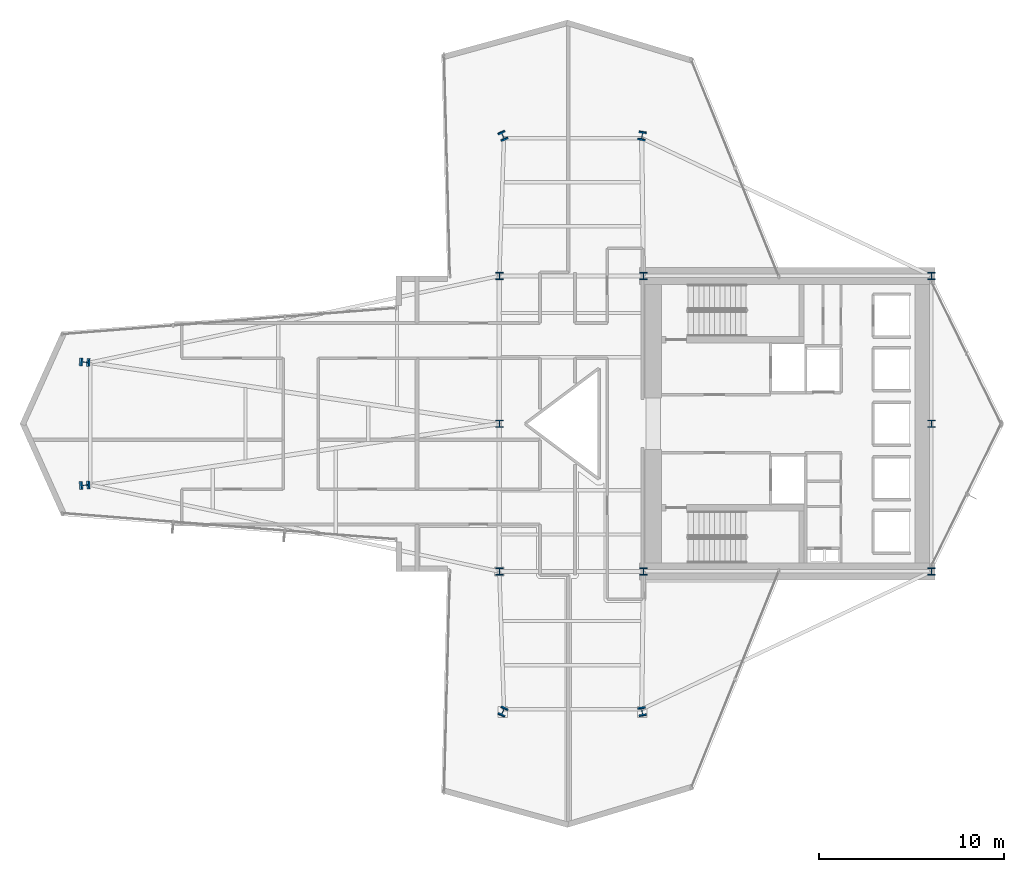
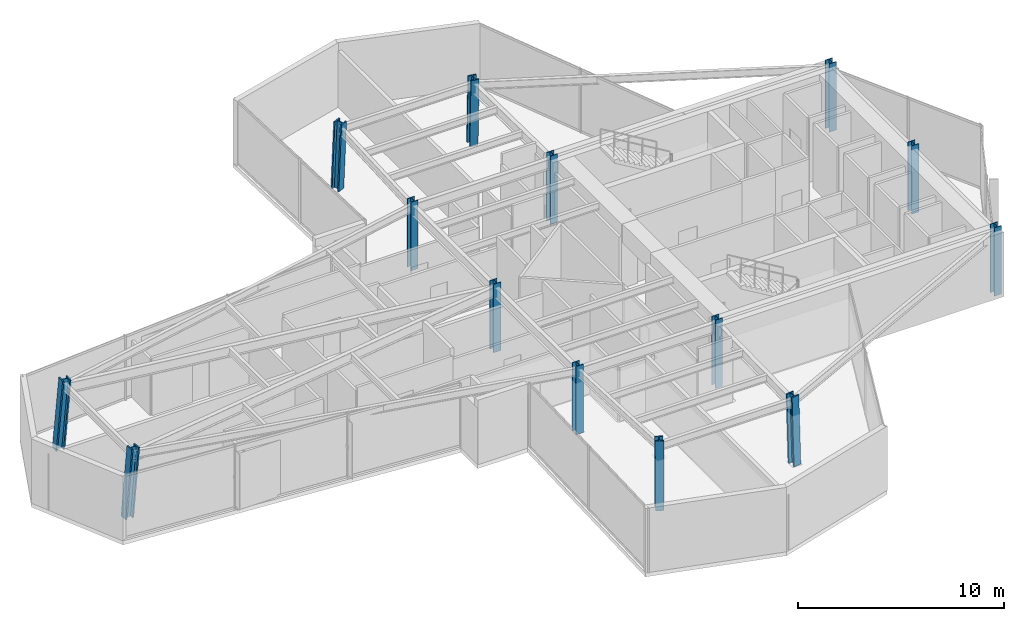
# One storey, part 1 of 31: 14 columns.
"""IFC4 building model written with IfcOpenShell, lengths in metres."""

from ifc_helpers import new_model, si_unit, direction, frame, origin, origin_2d, place, context, subcontext, project, spatial, i_section, extrude, material, material_profile, profile_set, type_object, element, save


model = new_model("IFC4")

# Units and contexts
model_context = context("Model", 3, precision=1e-05, world=origin(), true_north=direction((0.0, 1.0)))
body_context = subcontext(model_context, "Body", "Model", "MODEL_VIEW")
ifc_project = project(units=[si_unit("LENGTHUNIT", "METRE"), si_unit("AREAUNIT", "SQUARE_METRE"), si_unit("VOLUMEUNIT", "CUBIC_METRE"), si_unit("PLANEANGLEUNIT", "RADIAN"), si_unit("MASSUNIT", "GRAM", prefix="KILO")], contexts=[model_context])

# Site, building, storey
site_placement = place(None, origin())
site = spatial("IfcSite", under=ifc_project, at=site_placement, CompositionType="ELEMENT")
building_placement = place(site_placement, origin())
building = spatial("IfcBuilding", under=site, at=building_placement, Name="Veymaron Broadcast Tower", CompositionType="ELEMENT")
storey_placement = place(building_placement, frame((0.0, 0.0, 70.199951171875)))
storey = spatial("IfcBuildingStorey", under=building, at=storey_placement, Name="L15", CompositionType="ELEMENT", Elevation=70.199951171875)

# Columns
ifc_material = material(Name="Structural steel ASTM A913 Gr 65", Category="steel")
ifc_material_profile_1 = material_profile(ifc_material, i_section(OverallWidth=0.40087890625, OverallDepth=0.39892578125, WebThickness=0.02490234375, FlangeThickness=0.03955078125, at=origin_2d()), Name="W360X314")
ifc_profile_set_1 = profile_set([ifc_material_profile_1], Name="Structural steel ASTM A913 Gr 65")
column_type_1 = type_object("IfcColumnType", Name="COL-HC1", PredefinedType="COLUMN", material=ifc_profile_set_1)
for number, where, z_axis, x_axis, name in (
    (1, (31.199951171875, 16.0, 0.0), (0.0, 0.0, 1.0), (1.0, 0.0, 0.0), "L15 structural hub and core column"),
    (2, (31.199951171875, 24.0, 0.0), (0.0, 0.0, 1.0), (1.0, 0.0, 0.0), "L15 structural hub and core column"),
    (3, (31.199951171875, 32.0, 0.0), (0.0, 0.0, 1.0), (1.0, 0.0, 0.0), "L15 structural hub and core column"),
    (4, (39.0, 16.0, 0.0), (0.0, 0.0, 1.0), (1.0, 0.0, 0.0), "L15 structural hub and core column"),
    (5, (39.0, 32.0, 0.0), (0.0, 0.0, 1.0), (1.0, 0.0, 0.0), "L15 structural hub and core column"),
    (6, (54.60009765625, 16.0, 0.0), (0.0, 0.0, 1.0), (1.0, 0.0, 0.0), "L15 structural hub and core column"),
    (7, (54.60009765625, 24.0, 0.0), (0.0, 0.0, 1.0), (1.0, 0.0, 0.0), "L15 structural hub and core column"),
    (8, (54.60009765625, 32.0, 0.0), (0.0, 0.0, 1.0), (1.0, 0.0, 0.0), "L15 structural hub and core column"),
):
    element("IfcColumn", number, at=place(storey_placement, frame(where, z_axis=z_axis, x_axis=x_axis)), inside=storey, type_object=column_type_1, Name=name, PredefinedType="COLUMN", context=body_context, shape_type="SweptSolid", body=[
        extrude(i_section(OverallWidth=0.40087890625, OverallDepth=0.39892578125, WebThickness=0.02490234375, FlangeThickness=0.03955078125, at=origin_2d()), origin(), (0.0, 0.0, 1.0), 4.0439453125),
    ])
ifc_material_profile_2 = material_profile(ifc_material, i_section(OverallWidth=0.424072265625, OverallDepth=0.47412109375, WebThickness=0.047607421875, FlangeThickness=0.076904296875, at=origin_2d()), Name="W360X634")
ifc_profile_set_2 = profile_set([ifc_material_profile_2], Name="Structural steel ASTM A913 Gr 65")
column_type_2 = type_object("IfcColumnType", Name="COL-MC1", PredefinedType="COLUMN", material=ifc_profile_set_2)
for number, where, z_axis, x_axis, name in (
    (9, (8.697021484375, 20.6650390625, 0.01611328125), (0.085543749702, 0.006175132675, 0.996315278726), (-0.071999487784, 0.997404669008, 0.0), "L15 Tapered Wing Mega Column"),
    (10, (8.697021484375, 27.3349609375, 0.01611328125), (0.085543749702, -0.006175132675, 0.996315278726), (0.071999487784, 0.997404669008, 0.0), "L15 Tapered Wing Mega Column"),
):
    element("IfcColumn", number, at=place(storey_placement, frame(where, z_axis=z_axis, x_axis=x_axis)), inside=storey, type_object=column_type_2, Name=name, PredefinedType="COLUMN", context=body_context, shape_type="SweptSolid", body=[
        extrude(i_section(OverallWidth=0.424072265625, OverallDepth=0.47412109375, WebThickness=0.047607421875, FlangeThickness=0.076904296875, at=origin_2d()), origin(), (0.0, 0.0, 1.0), 4.03271484375),
    ])
column_1_placement = place(storey_placement, frame((31.382080078125, 39.610107421875, 0.01611328125), z_axis=(0.017363882692, -0.037338419075, 0.999151809306), x_axis=(0.906747333095, 0.421674369537, 0.0)))
element("IfcColumn", 11, at=column_1_placement, inside=storey, type_object=column_type_2, Name="L15 Tapered Wing Mega Column", PredefinedType="COLUMN", context=body_context, shape_type="SweptSolid", body=[
    extrude(i_section(OverallWidth=0.424072265625, OverallDepth=0.47412109375, WebThickness=0.047607421875, FlangeThickness=0.076904296875, at=origin_2d()), origin(), (0.0, 0.0, 1.0), 4.021240234375),
])
column_2_placement = place(storey_placement, frame((38.93505859375, 39.610107421875, 0.01611328125), z_axis=(-0.006254246892, -0.037343318823, 0.999282923368), x_axis=(0.986263587143, -0.165179104839, 0.0)))
element("IfcColumn", 12, at=column_2_placement, inside=storey, type_object=column_type_2, Name="L15 Tapered Wing Mega Column", PredefinedType="COLUMN", context=body_context, shape_type="SweptSolid", body=[
    extrude(i_section(OverallWidth=0.424072265625, OverallDepth=0.47412109375, WebThickness=0.047607421875, FlangeThickness=0.076904296875, at=origin_2d()), origin(), (0.0, 0.0, 1.0), 4.020751953125),
])
column_3_placement = place(storey_placement, frame((31.382080078125, 8.389892578125, 0.01611328125), z_axis=(0.017363882692, 0.037338419075, 0.999151809306), x_axis=(-0.906747333095, 0.421674369537, 0.0)))
element("IfcColumn", 13, at=column_3_placement, inside=storey, type_object=column_type_2, Name="L15 Tapered Wing Mega Column", PredefinedType="COLUMN", context=body_context, shape_type="SweptSolid", body=[
    extrude(i_section(OverallWidth=0.424072265625, OverallDepth=0.47412109375, WebThickness=0.047607421875, FlangeThickness=0.076904296875, at=origin_2d()), origin(), (0.0, 0.0, 1.0), 4.021240234375),
])
column_4_placement = place(storey_placement, frame((38.93505859375, 8.389892578125, 0.01611328125), z_axis=(-0.006254246892, 0.037343318823, 0.999282923368), x_axis=(-0.986263587143, -0.165179104839, 0.0)))
element("IfcColumn", 14, at=column_4_placement, inside=storey, type_object=column_type_2, Name="L15 Tapered Wing Mega Column", PredefinedType="COLUMN", context=body_context, shape_type="SweptSolid", body=[
    extrude(i_section(OverallWidth=0.424072265625, OverallDepth=0.47412109375, WebThickness=0.047607421875, FlangeThickness=0.076904296875, at=origin_2d()), origin(), (0.0, 0.0, 1.0), 4.020751953125),
])

save(model, "model.ifc")
